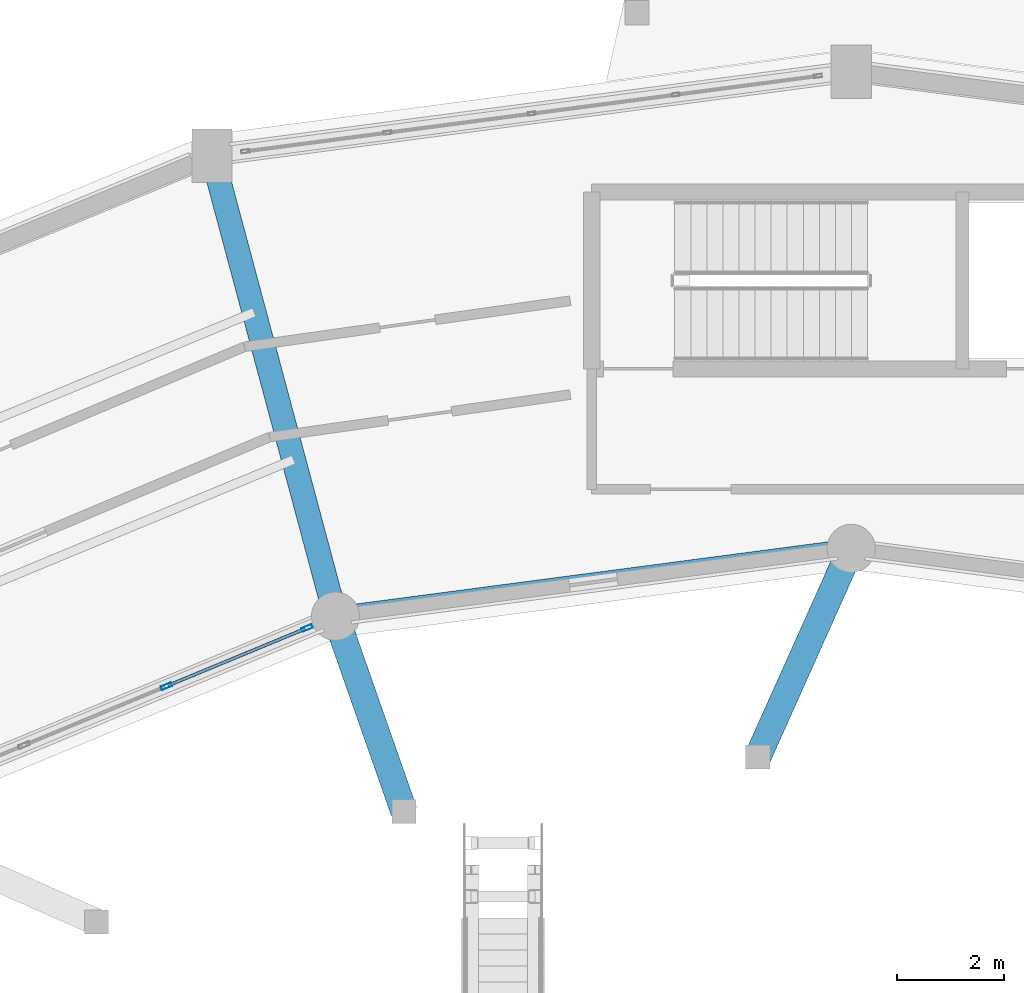
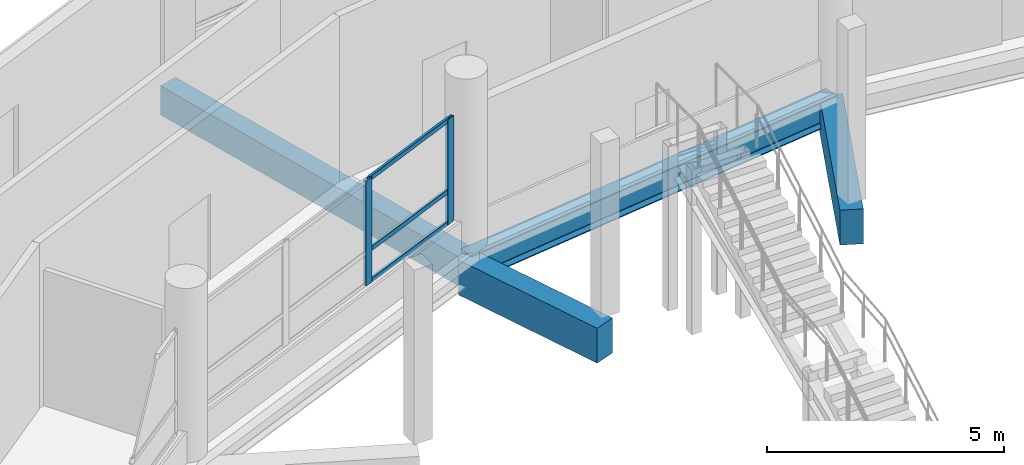
# One storey, part 59 of 129: 5 members, 4 beams, 1 element without a shape of its own.
"""IFC4 building model written with IfcOpenShell, lengths in metres."""

from ifc_helpers import new_model, si_unit, direction, frame, origin, origin_2d, place, context, subcontext, project, spatial, rectangle, hollow_rectangle, i_section, extrude, material, layer, layer_set, material_profile, profile_set, type_object, element, aggregate, save


model = new_model("IFC4")

# Units and contexts
model_context = context("Model", 3, precision=1e-05, world=origin(), true_north=direction((0.0, 1.0)))
body_context = subcontext(model_context, "Body", "Model", "MODEL_VIEW")
ifc_project = project(units=[si_unit("LENGTHUNIT", "METRE"), si_unit("AREAUNIT", "SQUARE_METRE"), si_unit("VOLUMEUNIT", "CUBIC_METRE"), si_unit("PLANEANGLEUNIT", "RADIAN"), si_unit("MASSUNIT", "GRAM", prefix="KILO")], contexts=[model_context])

# Site, building, storey
site_placement = place(None, origin())
site = spatial("IfcSite", under=ifc_project, at=site_placement, CompositionType="ELEMENT")
building_placement = place(site_placement, origin())
building = spatial("IfcBuilding", under=site, at=building_placement, Name="Vespera Passage Community Centre", CompositionType="ELEMENT")
storey_placement = place(building_placement, origin())
storey = spatial("IfcBuildingStorey", under=building, at=storey_placement, Name="L00", CompositionType="ELEMENT", Elevation=0.0)

# Beams
ifc_material_1 = material(Name="Concrete f'c 35 MPa", Category="concrete")
ifc_material_profile_1 = material_profile(ifc_material_1, rectangle(XDim=0.449951171875, YDim=0.75, at=origin_2d()), Name="RC450X750")
ifc_profile_set_1 = profile_set([ifc_material_profile_1], Name="Concrete f'c 35 MPa")
beam_type_1 = type_object("IfcBeamType", Name="BM-G-450X750", PredefinedType="BEAM", material=ifc_profile_set_1)
beam_1_placement = place(storey_placement, frame((68.371826171875, 101.432373046875, -0.655029296875), z_axis=(-0.258811497245, 0.9659278487, 0.0), x_axis=(-0.9659278487, -0.258811497245, 0.0)))
element("IfcBeam", 1, at=beam_1_placement, inside=storey, type_object=beam_type_1, Name="V4 L00 Radial Girder 7", PredefinedType="BEAM", context=body_context, shape_type="SweptSolid", body=[
    extrude(rectangle(XDim=0.449951171875, YDim=0.75, at=origin_2d()), origin(), (0.0, 0.0, 1.0), 8.900146484375),
])
ifc_material_2 = material(Name="Concrete f'c 45 MPa", Category="concrete")
ifc_material_profile_2 = material_profile(ifc_material_2, rectangle(XDim=0.5, YDim=0.89990234375, at=origin_2d()), Name="RC500X900")
ifc_profile_set_2 = profile_set([ifc_material_profile_2], Name="Concrete f'c 45 MPa")
beam_type_2 = type_object("IfcBeamType", Name="BM-G-500X900", PredefinedType="BEAM", material=ifc_profile_set_2)
beam_2_placement = place(storey_placement, frame((76.254638671875, 98.80419921875, -0.7900390625), z_axis=(0.408858840233, 0.912597637934, 0.0), x_axis=(-0.912597637934, 0.408858840233, 0.0)))
element("IfcBeam", 2, at=beam_2_placement, inside=storey, type_object=beam_type_2, Name="Courtyard Terrace Grade Tie 1", PredefinedType="BEAM", context=body_context, shape_type="SweptSolid", body=[
    extrude(rectangle(XDim=0.5, YDim=0.89990234375, at=origin_2d()), origin(), (0.0, 0.0, 1.0), 4.268798828125),
])
beam_3_placement = place(storey_placement, frame((69.64990234375, 97.78759765625, -0.7900390625), z_axis=(-0.330905040111, 0.943664058036, 0.0), x_axis=(-0.943664058036, -0.330905040111, 0.0)))
element("IfcBeam", 3, at=beam_3_placement, inside=storey, type_object=beam_type_2, Name="Courtyard Terrace Grade Tie 2", PredefinedType="BEAM", context=body_context, shape_type="SweptSolid", body=[
    extrude(rectangle(XDim=0.5, YDim=0.89990234375, at=origin_2d()), origin(), (0.0, 0.0, 1.0), 3.8623046875),
])
ifc_material_3 = material(Name="Steel ASTM A992 Grade 50", Category="steel")
ifc_material_profile_3 = material_profile(ifc_material_3, i_section(OverallWidth=0.3544921875, OverallDepth=0.695556640625, WebThickness=0.015380859375, FlangeThickness=0.024658203125, FilletRadius=0.01513671875, at=origin_2d()), Name="W27X146")
ifc_profile_set_3 = profile_set([ifc_material_profile_3], Name="Steel ASTM A992 Grade 50")
beam_type_3 = type_object("IfcBeamType", Name="BM-SP-W27X146E", PredefinedType="SPANDREL", material=ifc_profile_set_3)
beam_4_placement = place(storey_placement, frame((78.0, 102.699951171875, -0.627685546875), z_axis=(-0.991444794834, -0.130526697639, 0.0), x_axis=(0.130526697639, -0.991444794834, 0.0)))
element("IfcBeam", 4, at=beam_4_placement, inside=storey, type_object=beam_type_3, Name="V4 L00 Inner Spandrel 6", PredefinedType="SPANDREL", context=body_context, shape_type="SweptSolid", body=[
    extrude(i_section(OverallWidth=0.3544921875, OverallDepth=0.695556640625, WebThickness=0.015380859375, FlangeThickness=0.024658203125, FilletRadius=0.01513671875, at=origin_2d()), origin(), (0.0, 0.0, 1.0), 9.711181640625),
])

# Curtain wall, members
ifc_material_4 = material(Name="Anodized aluminium 6063-T6", Category="aluminium")
ifc_layer = layer(ifc_material_4, 0.159912109375)
ifc_layer_set = layer_set([ifc_layer], Name="Anodized aluminium 6063-T6")
curtain_wall_type = type_object("IfcCurtainWallType", Name="CW-02E", PredefinedType="NOTDEFINED", material=ifc_layer_set)
curtain_wall_placement = place(storey_placement, origin())
curtain_wall = element("IfcCurtainWall", 5, at=curtain_wall_placement, inside=storey, type_object=curtain_wall_type, Name="V4 L00 Inner Court Curtain Wall 7", PredefinedType="NOTDEFINED")
ifc_material_5 = material(Name="Anodized aluminium 6063-T6", Category="aluminium")
ifc_material_profile_4 = material_profile(ifc_material_5, hollow_rectangle(XDim=0.074951171875, YDim=0.2099609375, WallThickness=0.0048828125, InnerFilletRadius=0.00244140625, OuterFilletRadius=0.0048828125, at=origin_2d()), Name="ALU210X75X5")
ifc_profile_set_4 = profile_set([ifc_material_profile_4], Name="Anodized aluminium 6063-T6")
member_type_1 = type_object("IfcMemberType", Name="MB-CWM-210E", PredefinedType="MULLION", material=ifc_profile_set_4)
member_1_placement = place(storey_placement, frame((67.838623046875, 101.211669921875, 0.820068359375), z_axis=(0.0, 0.0, 1.0), x_axis=(0.382690463482, -0.923876620096, 0.0)))
member_1 = element("IfcMember", 6, at=member_1_placement, type_object=member_type_1, Name="CW-02E mullion 1", PredefinedType="MULLION", context=body_context, shape_type="SweptSolid", body=[
    extrude(hollow_rectangle(XDim=0.074951171875, YDim=0.2099609375, WallThickness=0.0048828125, InnerFilletRadius=0.00244140625, OuterFilletRadius=0.0048828125, at=origin_2d()), origin(), (0.0, 0.0, 1.0), 2.709228515625),
])
member_2_placement = place(storey_placement, frame((65.215087890625, 100.124755859375, 0.820068359375), z_axis=(0.0, 0.0, 1.0), x_axis=(0.382690463482, -0.923876620096, 0.0)))
member_2 = element("IfcMember", 7, at=member_2_placement, type_object=member_type_1, Name="CW-02E mullion 2", PredefinedType="MULLION", context=body_context, shape_type="SweptSolid", body=[
    extrude(hollow_rectangle(XDim=0.074951171875, YDim=0.2099609375, WallThickness=0.0048828125, InnerFilletRadius=0.00244140625, OuterFilletRadius=0.0048828125, at=origin_2d()), origin(), (0.0, 0.0, 1.0), 2.709228515625),
])
ifc_material_6 = material(Name="Anodized aluminium 6063-T6", Category="aluminium")
ifc_material_profile_5 = material_profile(ifc_material_6, hollow_rectangle(XDim=0.06005859375, YDim=0.1201171875, WallThickness=0.00390625, InnerFilletRadius=0.001953125, OuterFilletRadius=0.00390625, at=origin_2d()), Name="ALU120X60X4")
ifc_profile_set_5 = profile_set([ifc_material_profile_5], Name="Anodized aluminium 6063-T6")
member_type_2 = type_object("IfcMemberType", Name="MB-CWT-120E", PredefinedType="USERDEFINED", material=ifc_profile_set_5)
member_3_placement = place(storey_placement, frame((67.803955078125, 101.197265625, 0.85009765625), z_axis=(-0.923863992677, -0.382720946689, 0.0), x_axis=(0.382720946689, -0.923863992677, 0.0)))
member_3 = element("IfcMember", 8, at=member_3_placement, type_object=member_type_2, Name="CW-02E transom 1.1", ObjectType="TRANSOM", PredefinedType="USERDEFINED", context=body_context, shape_type="SweptSolid", body=[
    extrude(hollow_rectangle(XDim=0.06005859375, YDim=0.1201171875, WallThickness=0.00390625, InnerFilletRadius=0.001953125, OuterFilletRadius=0.00390625, at=origin_2d()), origin(), (0.0, 0.0, 1.0), 2.7646484375),
])
member_4_placement = place(storey_placement, frame((67.803955078125, 101.197265625, 1.669921875), z_axis=(-0.923863992677, -0.382720946689, 0.0), x_axis=(0.382720946689, -0.923863992677, 0.0)))
member_4 = element("IfcMember", 9, at=member_4_placement, type_object=member_type_2, Name="CW-02E transom 1.2", ObjectType="TRANSOM", PredefinedType="USERDEFINED", context=body_context, shape_type="SweptSolid", body=[
    extrude(hollow_rectangle(XDim=0.06005859375, YDim=0.1201171875, WallThickness=0.00390625, InnerFilletRadius=0.001953125, OuterFilletRadius=0.00390625, at=origin_2d()), origin(), (0.0, 0.0, 1.0), 2.7646484375),
])
member_5_placement = place(storey_placement, frame((67.803955078125, 101.197265625, 3.49951171875), z_axis=(-0.923863992677, -0.382720946689, 0.0), x_axis=(0.382720946689, -0.923863992677, 0.0)))
member_5 = element("IfcMember", 10, at=member_5_placement, type_object=member_type_2, Name="CW-02E transom 1.3", ObjectType="TRANSOM", PredefinedType="USERDEFINED", context=body_context, shape_type="SweptSolid", body=[
    extrude(hollow_rectangle(XDim=0.06005859375, YDim=0.1201171875, WallThickness=0.00390625, InnerFilletRadius=0.001953125, OuterFilletRadius=0.00390625, at=origin_2d()), origin(), (0.0, 0.0, 1.0), 2.7646484375),
])
aggregate(curtain_wall, [member_1, member_2, member_3, member_4, member_5])

save(model, "model.ifc")
